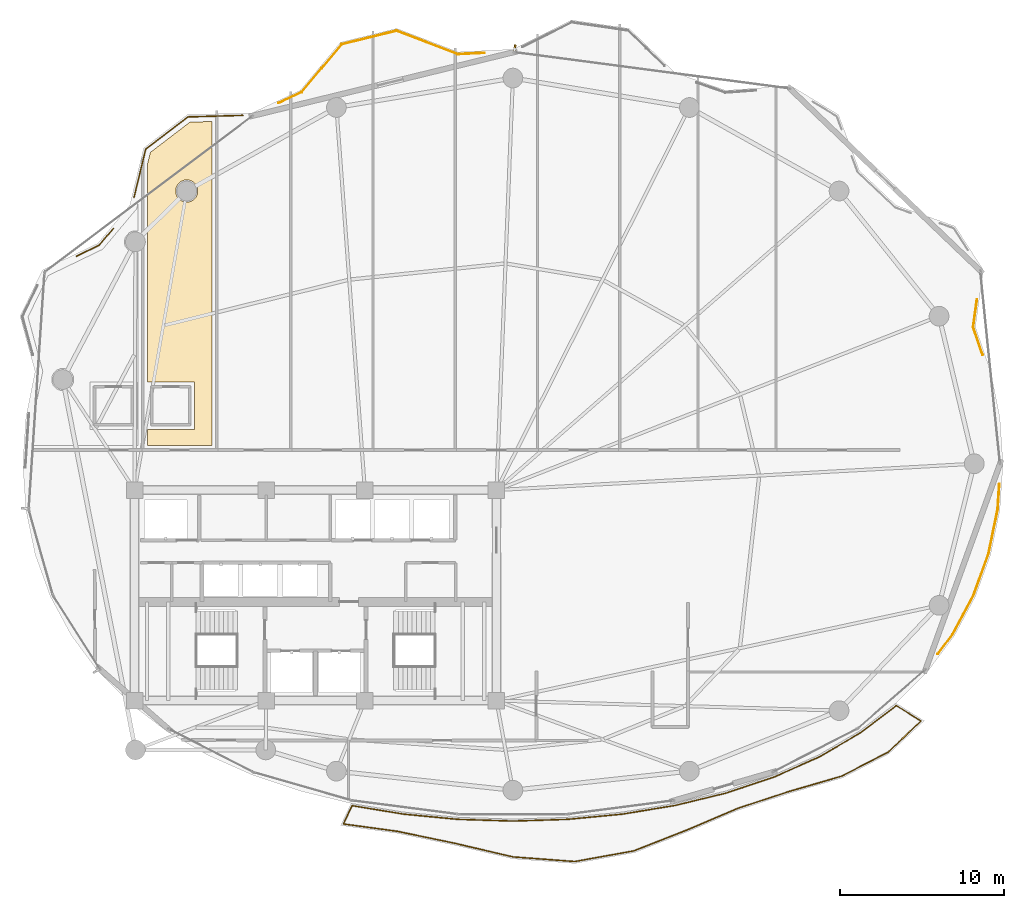
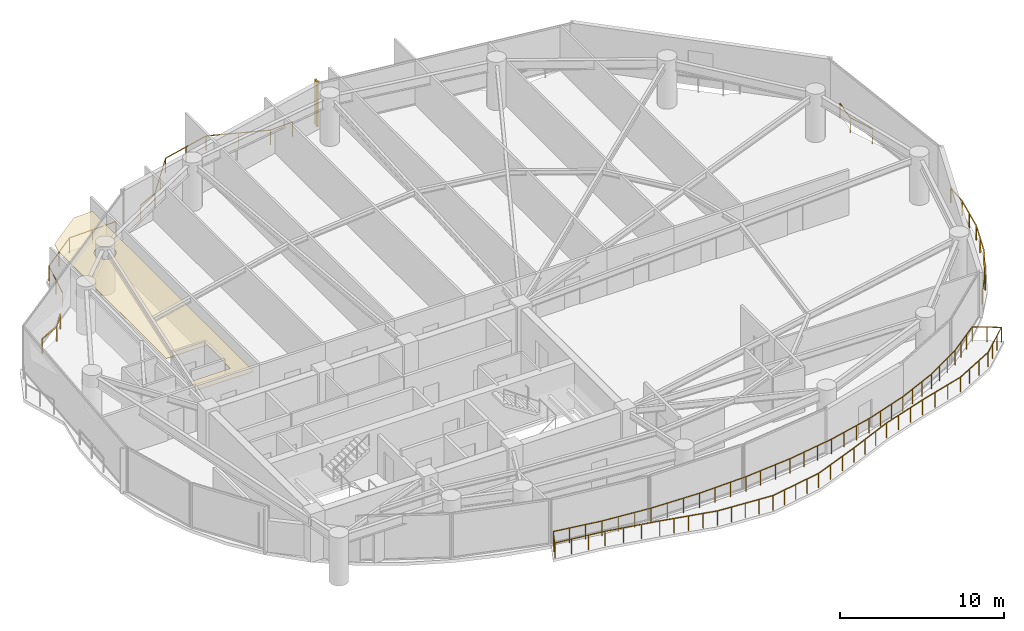
# One storey, part 29 of 30: 6 railings, 1 covering, 1 shading device.
"""IFC4 building model written with IfcOpenShell, lengths in metres."""

from ifc_helpers import new_model, si_unit, direction, frame, origin, origin_2d, place, context, subcontext, project, spatial, polyline, rectangle, outline, extrude, material, layer, layer_set, type_object, element, save


model = new_model("IFC4")

# Units and contexts
model_context = context("Model", 3, precision=1e-05, world=origin(), true_north=direction((0.0, 1.0)))
body_context = subcontext(model_context, "Body", "Model", "MODEL_VIEW")
ifc_project = project(units=[si_unit("LENGTHUNIT", "METRE"), si_unit("AREAUNIT", "SQUARE_METRE"), si_unit("VOLUMEUNIT", "CUBIC_METRE"), si_unit("PLANEANGLEUNIT", "RADIAN"), si_unit("MASSUNIT", "GRAM", prefix="KILO")], contexts=[model_context])

# Site, building, storey
site_placement = place(None, origin())
site = spatial("IfcSite", under=ifc_project, at=site_placement, CompositionType="ELEMENT")
building_placement = place(site_placement, origin())
building = spatial("IfcBuilding", under=site, at=building_placement, Name="Kazevale Care Tower and Concert Hall", CompositionType="ELEMENT")
storey_placement = place(building_placement, frame((0.0, 0.0, 127.800048828125)))
storey = spatial("IfcBuildingStorey", under=building, at=storey_placement, Name="L33", CompositionType="ELEMENT", Elevation=127.800048828125)

# Covering
ifc_material_1 = material(Name="Acoustic Plaster and Hinoki Wood", Category="wood")
ifc_layer = layer(ifc_material_1, 0.0400390625)
ifc_layer_set = layer_set([ifc_layer], Name="Acoustic Plaster and Hinoki Wood")
covering_type = type_object("IfcCoveringType", Name="Acoustic Perforated Wood-Gypsum Ceiling", PredefinedType="CEILING", material=ifc_layer_set)
covering_placement = place(storey_placement, frame((0.0, 0.0, 2.7099609375)))
element("IfcCovering", 1, at=covering_placement, inside=storey, type_object=covering_type, Name="clg:L33:2", PredefinedType="CEILING", context=body_context, shape_type="SweptSolid", body=[
    extrude(outline(polyline([(25.6298828125, 40.094970703125), (25.6298828125, 42.955078125), (22.780029296875, 42.955078125), (22.780029296875, 56.199951171875), (22.9580078125, 56.930908203125), (25.365966796875, 58.77099609375), (26.719970703125, 58.80908203125), (26.719970703125, 39.10498046875), (22.780029296875, 39.10498046875), (22.780029296875, 40.094970703125), (25.6298828125, 40.094970703125)]), holes=[polyline([(25.8369140625, 54.712890625), (25.735107421875, 54.9580078125), (25.548095703125, 55.14501953125), (25.302978515625, 55.2470703125), (25.037109375, 55.2470703125), (24.7919921875, 55.14501953125), (24.60498046875, 54.9580078125), (24.5029296875, 54.712890625), (24.5029296875, 54.447021484375), (24.60498046875, 54.201904296875), (24.7919921875, 54.014892578125), (25.037109375, 53.9130859375), (25.302978515625, 53.9130859375), (25.548095703125, 54.014892578125), (25.735107421875, 54.201904296875), (25.8369140625, 54.447021484375), (25.8369140625, 54.712890625)])]), origin(), (0.0, 0.0, 1.0), 0.0400390625),
])

# Railings
ifc_material_2 = material(Name="Anodised Bronze Aluminium and Laminated Glass", Category="aluminium")
railing_type = type_object("IfcRailingType", Name="Balcony and Terrace Balustrade 1120", PredefinedType="BALUSTRADE", material=ifc_material_2)
railing_1_placement = place(storey_placement, frame((18.4599609375, 50.62109375, 0.0)))
element("IfcRailing", 2, at=railing_1_placement, inside=storey, type_object=railing_type, Name="rail:L33:perim:3", PredefinedType="BALUSTRADE", context=body_context, shape_type="SweptSolid", body=[
    extrude(rectangle(XDim=0.048095703125, YDim=0.048095703125, at=origin_2d()), frame((0.0, 0.0, 1.09619140625), z_axis=(0.900823701656, 0.434185051026, 0.0), x_axis=(-0.434185051026, 0.900823701656, 0.0)), (0.0, 0.0, 1.0), 1.5498046875),
    extrude(rectangle(XDim=0.048095703125, YDim=0.048095703125, at=origin_2d()), frame((1.39599609375, 0.6728515625, 1.09619140625), z_axis=(0.642605296256, 0.766197385289, 0.0), x_axis=(-0.766197385289, 0.642605296256, 0.0)), (0.0, 0.0, 1.0), 1.327392578125),
    extrude(rectangle(XDim=0.0419921875, YDim=0.0419921875, at=origin_2d()), origin(), (0.0, 0.0, 1.0), 1.072021484375),
    extrude(rectangle(XDim=0.0419921875, YDim=0.0419921875, at=origin_2d()), frame((1.39599609375, 0.6728515625, 0.0)), (0.0, 0.0, 1.0), 1.072021484375),
    extrude(rectangle(XDim=0.0419921875, YDim=0.0419921875, at=origin_2d()), frame((2.2490234375, 1.68994140625, 0.0)), (0.0, 0.0, 1.0), 1.072021484375),
])
railing_2_placement = place(storey_placement, frame((21.966064453125, 54.2060546875, 0.0)))
element("IfcRailing", 3, at=railing_2_placement, inside=storey, type_object=railing_type, Name="rail:L33:perim:4", PredefinedType="BALUSTRADE", context=body_context, shape_type="SweptSolid", body=[
    extrude(rectangle(XDim=0.048095703125, YDim=0.048095703125, at=origin_2d()), frame((0.0, 0.0, 1.09619140625), z_axis=(0.236337022334, 0.971671143893, 0.0), x_axis=(-0.971671143893, 0.236337022334, 0.0)), (0.0, 0.0, 1.0), 2.995849609375),
    extrude(rectangle(XDim=0.048095703125, YDim=0.048095703125, at=origin_2d()), frame((0.7080078125, 2.910888671875, 1.09619140625), z_axis=(0.794524333095, 0.607232314785, 0.0), x_axis=(-0.607232314785, 0.794524333095, 0.0)), (0.0, 0.0, 1.0), 3.245849609375),
    extrude(rectangle(XDim=0.048095703125, YDim=0.048095703125, at=origin_2d()), frame((3.286865234375, 4.8818359375, 1.09619140625), z_axis=(0.999602588936, 0.028189788803, 0.0), x_axis=(-0.028189788803, 0.999602588936, 0.0)), (0.0, 0.0, 1.0), 3.334228515625),
    extrude(rectangle(XDim=0.0419921875, YDim=0.0419921875, at=origin_2d()), origin(), (0.0, 0.0, 1.0), 1.072021484375),
    extrude(rectangle(XDim=0.0419921875, YDim=0.0419921875, at=origin_2d()), frame((0.35400390625, 1.45556640625, 0.0)), (0.0, 0.0, 1.0), 1.072021484375),
    extrude(rectangle(XDim=0.0419921875, YDim=0.0419921875, at=origin_2d()), frame((0.7080078125, 2.910888671875, 0.0)), (0.0, 0.0, 1.0), 1.072021484375),
    extrude(rectangle(XDim=0.0419921875, YDim=0.0419921875, at=origin_2d()), frame((1.99755859375, 3.896484375, 0.0)), (0.0, 0.0, 1.0), 1.072021484375),
    extrude(rectangle(XDim=0.0419921875, YDim=0.0419921875, at=origin_2d()), frame((3.286865234375, 4.8818359375, 0.0)), (0.0, 0.0, 1.0), 1.072021484375),
    extrude(rectangle(XDim=0.0419921875, YDim=0.0419921875, at=origin_2d()), frame((4.953369140625, 4.9287109375, 0.0)), (0.0, 0.0, 1.0), 1.072021484375),
    extrude(rectangle(XDim=0.0419921875, YDim=0.0419921875, at=origin_2d()), frame((6.619873046875, 4.975830078125, 0.0)), (0.0, 0.0, 1.0), 1.072021484375),
])
railing_3_placement = place(storey_placement, frame((30.740966796875, 59.927978515625, 0.0)))
element("IfcRailing", 4, at=railing_3_placement, inside=storey, type_object=railing_type, Name="rail:L33:perim:5", PredefinedType="BALUSTRADE", context=body_context, shape_type="SweptSolid", body=[
    extrude(rectangle(XDim=0.048095703125, YDim=0.048095703125, at=origin_2d()), frame((0.0, 0.0, 1.09619140625), z_axis=(0.905736116012, 0.423842055667, 0.0), x_axis=(-0.423842055667, 0.905736116012, 0.0)), (0.0, 0.0, 1.0), 1.564453125),
    extrude(rectangle(XDim=0.048095703125, YDim=0.048095703125, at=origin_2d()), frame((1.4169921875, 0.6630859375, 1.09619140625), z_axis=(0.641607523243, 0.767033106272, 0.0), x_axis=(-0.767033106272, 0.641607523243, 0.0)), (0.0, 0.0, 1.0), 3.793701171875),
    extrude(rectangle(XDim=0.048095703125, YDim=0.048095703125, at=origin_2d()), frame((3.85107421875, 3.572998046875, 1.09619140625), z_axis=(0.970923670016, 0.239389279214, 0.0), x_axis=(-0.239389279214, 0.970923670016, 0.0)), (0.0, 0.0, 1.0), 3.433837890625),
    extrude(rectangle(XDim=0.048095703125, YDim=0.048095703125, at=origin_2d()), frame((7.18505859375, 4.39501953125, 1.09619140625), z_axis=(0.933831892262, -0.357712170598, 0.0), x_axis=(0.357712170598, 0.933831892262, 0.0)), (0.0, 0.0, 1.0), 3.978271484375),
    extrude(rectangle(XDim=0.048095703125, YDim=0.048095703125, at=origin_2d()), frame((10.900146484375, 2.971923828125, 1.09619140625), z_axis=(0.998862326121, 0.04768703657, 0.0), x_axis=(-0.04768703657, 0.998862326121, 0.0)), (0.0, 0.0, 1.0), 1.617919921875),
    extrude(rectangle(XDim=0.0419921875, YDim=0.0419921875, at=origin_2d()), origin(), (0.0, 0.0, 1.0), 1.072021484375),
    extrude(rectangle(XDim=0.0419921875, YDim=0.0419921875, at=origin_2d()), frame((1.4169921875, 0.6630859375, 0.0)), (0.0, 0.0, 1.0), 1.072021484375),
    extrude(rectangle(XDim=0.0419921875, YDim=0.0419921875, at=origin_2d()), frame((2.634033203125, 2.1181640625, 0.0)), (0.0, 0.0, 1.0), 1.072021484375),
    extrude(rectangle(XDim=0.0419921875, YDim=0.0419921875, at=origin_2d()), frame((3.85107421875, 3.572998046875, 0.0)), (0.0, 0.0, 1.0), 1.072021484375),
    extrude(rectangle(XDim=0.0419921875, YDim=0.0419921875, at=origin_2d()), frame((5.51806640625, 3.98388671875, 0.0)), (0.0, 0.0, 1.0), 1.072021484375),
    extrude(rectangle(XDim=0.0419921875, YDim=0.0419921875, at=origin_2d()), frame((7.18505859375, 4.39501953125, 0.0)), (0.0, 0.0, 1.0), 1.072021484375),
    extrude(rectangle(XDim=0.0419921875, YDim=0.0419921875, at=origin_2d()), frame((9.04248046875, 3.68359375, 0.0)), (0.0, 0.0, 1.0), 1.072021484375),
    extrude(rectangle(XDim=0.0419921875, YDim=0.0419921875, at=origin_2d()), frame((10.900146484375, 2.971923828125, 0.0)), (0.0, 0.0, 1.0), 1.072021484375),
    extrude(rectangle(XDim=0.0419921875, YDim=0.0419921875, at=origin_2d()), frame((12.51611328125, 3.049072265625, 0.0)), (0.0, 0.0, 1.0), 1.072021484375),
])
railing_4_placement = place(storey_placement, frame((74.576904296875, 36.76611328125, 0.0)))
element("IfcRailing", 5, at=railing_4_placement, inside=storey, type_object=railing_type, Name="rail:L33:perim:10", PredefinedType="BALUSTRADE", context=body_context, shape_type="SweptSolid", body=[
    extrude(rectangle(XDim=0.048095703125, YDim=0.048095703125, at=origin_2d()), frame((0.0, 0.0, 1.09619140625), z_axis=(-0.066164353261, -0.997808738365, 0.0), x_axis=(0.997808738365, -0.066164353261, 0.0)), (0.0, 0.0, 1.0), 1.553466796875),
    extrude(rectangle(XDim=0.048095703125, YDim=0.048095703125, at=origin_2d()), frame((-0.102783203125, -1.550048828125, 1.09619140625), z_axis=(-0.202611486218, -0.979259202485, 0.0), x_axis=(0.979259202485, -0.202611486218, 0.0)), (0.0, 0.0, 1.0), 2.744873046875),
    extrude(rectangle(XDim=0.048095703125, YDim=0.048095703125, at=origin_2d()), frame((-0.658935546875, -4.238037109375, 1.09619140625), z_axis=(-0.339653342944, -0.940550693279, 0.0), x_axis=(0.940550693279, -0.339653342944, 0.0)), (0.0, 0.0, 1.0), 2.70263671875),
    extrude(rectangle(XDim=0.048095703125, YDim=0.048095703125, at=origin_2d()), frame((-1.576904296875, -6.780029296875, 1.09619140625), z_axis=(-0.473735648305, -0.880667096879, 0.0), x_axis=(0.880667096879, -0.473735648305, 0.0)), (0.0, 0.0, 1.0), 2.6787109375),
    extrude(rectangle(XDim=0.048095703125, YDim=0.048095703125, at=origin_2d()), frame((-2.845947265625, -9.13916015625, 1.09619140625), z_axis=(-0.597990687273, -0.801503049236, 0.0), x_axis=(0.801503049236, -0.597990687273, 0.0)), (0.0, 0.0, 1.0), 1.498291015625),
    extrude(rectangle(XDim=0.0419921875, YDim=0.0419921875, at=origin_2d()), origin(), (0.0, 0.0, 1.0), 1.072021484375),
    extrude(rectangle(XDim=0.0419921875, YDim=0.0419921875, at=origin_2d()), frame((-0.102783203125, -1.550048828125, 0.0)), (0.0, 0.0, 1.0), 1.072021484375),
    extrude(rectangle(XDim=0.0419921875, YDim=0.0419921875, at=origin_2d()), frame((-0.380859375, -2.89404296875, 0.0)), (0.0, 0.0, 1.0), 1.072021484375),
    extrude(rectangle(XDim=0.0419921875, YDim=0.0419921875, at=origin_2d()), frame((-0.658935546875, -4.238037109375, 0.0)), (0.0, 0.0, 1.0), 1.072021484375),
    extrude(rectangle(XDim=0.0419921875, YDim=0.0419921875, at=origin_2d()), frame((-1.117919921875, -5.509033203125, 0.0)), (0.0, 0.0, 1.0), 1.072021484375),
    extrude(rectangle(XDim=0.0419921875, YDim=0.0419921875, at=origin_2d()), frame((-1.576904296875, -6.780029296875, 0.0)), (0.0, 0.0, 1.0), 1.072021484375),
    extrude(rectangle(XDim=0.0419921875, YDim=0.0419921875, at=origin_2d()), frame((-2.21142578125, -7.95947265625, 0.0)), (0.0, 0.0, 1.0), 1.072021484375),
    extrude(rectangle(XDim=0.0419921875, YDim=0.0419921875, at=origin_2d()), frame((-2.845947265625, -9.13916015625, 0.0)), (0.0, 0.0, 1.0), 1.072021484375),
    extrude(rectangle(XDim=0.0419921875, YDim=0.0419921875, at=origin_2d()), frame((-3.741943359375, -10.340087890625, 0.0)), (0.0, 0.0, 1.0), 1.072021484375),
])
railing_5_placement = place(storey_placement, frame((73.216064453125, 47.98193359375, 0.0)))
element("IfcRailing", 6, at=railing_5_placement, inside=storey, type_object=railing_type, Name="rail:L33:perim:12", PredefinedType="BALUSTRADE", context=body_context, shape_type="SweptSolid", body=[
    extrude(rectangle(XDim=0.048095703125, YDim=0.048095703125, at=origin_2d()), frame((0.0, 0.0, 1.09619140625), z_axis=(-0.137473823068, -0.990505400274, 0.0), x_axis=(0.990505400274, -0.137473823068, 0.0)), (0.0, 0.0, 1.0), 1.68896484375),
    extrude(rectangle(XDim=0.048095703125, YDim=0.048095703125, at=origin_2d()), frame((-0.232177734375, -1.6728515625, 1.09619140625), z_axis=(0.322868909969, -0.946443694562, 0.0), x_axis=(0.946443694562, 0.322868909969, 0.0)), (0.0, 0.0, 1.0), 1.784423828125),
    extrude(rectangle(XDim=0.0419921875, YDim=0.0419921875, at=origin_2d()), origin(), (0.0, 0.0, 1.0), 1.072021484375),
    extrude(rectangle(XDim=0.0419921875, YDim=0.0419921875, at=origin_2d()), frame((-0.232177734375, -1.6728515625, 0.0)), (0.0, 0.0, 1.0), 1.072021484375),
    extrude(rectangle(XDim=0.0419921875, YDim=0.0419921875, at=origin_2d()), frame((0.343994140625, -3.36181640625, 0.0)), (0.0, 0.0, 1.0), 1.072021484375),
])
railing_6_placement = place(storey_placement, frame((35.22509765625, 17.2099609375, 0.0)))
element("IfcRailing", 7, at=railing_6_placement, inside=storey, type_object=railing_type, Name="rail:L33:balcony", PredefinedType="BALUSTRADE", context=body_context, shape_type="SweptSolid", body=[
    extrude(rectangle(XDim=0.048095703125, YDim=0.048095703125, at=origin_2d()), frame((0.0, 0.0, 1.09619140625), z_axis=(0.986720826515, -0.162425399869, 0.0), x_axis=(0.162425399869, 0.986720826515, 0.0)), (0.0, 0.0, 1.0), 3.169921875),
    extrude(rectangle(XDim=0.048095703125, YDim=0.048095703125, at=origin_2d()), frame((3.1279296875, -0.514892578125, 1.09619140625), z_axis=(0.995477928413, -0.09499312629, 0.0), x_axis=(0.09499312629, 0.995477928413, 0.0)), (0.0, 0.0, 1.0), 3.31787109375),
    extrude(rectangle(XDim=0.048095703125, YDim=0.048095703125, at=origin_2d()), frame((6.430908203125, -0.830078125, 1.09619140625), z_axis=(0.999507580629, -0.031378276971, 0.0), x_axis=(0.031378276971, 0.999507580629, 0.0)), (0.0, 0.0, 1.0), 3.345703125),
    extrude(rectangle(XDim=0.048095703125, YDim=0.048095703125, at=origin_2d()), frame((9.77490234375, -0.93505859375, 1.09619140625), z_axis=(0.999507580629, 0.031378276971, 0.0), x_axis=(-0.031378276971, 0.999507580629, 0.0)), (0.0, 0.0, 1.0), 3.345703125),
    extrude(rectangle(XDim=0.048095703125, YDim=0.048095703125, at=origin_2d()), frame((13.118896484375, -0.830078125, 1.09619140625), z_axis=(0.995477928413, 0.09499312629, 0.0), x_axis=(-0.09499312629, 0.995477928413, 0.0)), (0.0, 0.0, 1.0), 3.31787109375),
    extrude(rectangle(XDim=0.048095703125, YDim=0.048095703125, at=origin_2d()), frame((16.421875, -0.514892578125, 1.09619140625), z_axis=(0.986673526711, 0.162712481659, 0.0), x_axis=(-0.162712481659, 0.986673526711, 0.0)), (0.0, 0.0, 1.0), 3.263427734375),
    extrude(rectangle(XDim=0.048095703125, YDim=0.048095703125, at=origin_2d()), frame((19.641845703125, 0.01611328125, 1.09619140625), z_axis=(0.971769261323, 0.235933259095, 0.0), x_axis=(-0.235933259095, 0.971769261323, 0.0)), (0.0, 0.0, 1.0), 3.187255859375),
    extrude(rectangle(XDim=0.048095703125, YDim=0.048095703125, at=origin_2d()), frame((22.739013671875, 0.76806640625, 1.09619140625), z_axis=(0.948264523365, 0.317481328155, 0.0), x_axis=(-0.317481328155, 0.948264523365, 0.0)), (0.0, 0.0, 1.0), 3.095947265625),
    extrude(rectangle(XDim=0.048095703125, YDim=0.048095703125, at=origin_2d()), frame((25.6748046875, 1.7509765625, 1.09619140625), z_axis=(0.913377633239, 0.407113373766, 0.0), x_axis=(-0.407113373766, 0.913377633239, 0.0)), (0.0, 0.0, 1.0), 2.99658203125),
    extrude(rectangle(XDim=0.048095703125, YDim=0.048095703125, at=origin_2d()), frame((28.411865234375, 2.970947265625, 1.09619140625), z_axis=(0.863507127078, 0.504336635082, 0.0), x_axis=(-0.504336635082, 0.863507127078, 0.0)), (0.0, 0.0, 1.0), 2.901123046875),
    extrude(rectangle(XDim=0.048095703125, YDim=0.048095703125, at=origin_2d()), frame((30.9169921875, 4.43408203125, 1.09619140625), z_axis=(0.795030778338, 0.606569090455, 0.0), x_axis=(-0.606569090455, 0.795030778338, 0.0)), (0.0, 0.0, 1.0), 2.726806640625),
    extrude(rectangle(XDim=0.048095703125, YDim=0.048095703125, at=origin_2d()), frame((33.0849609375, 6.088134765625, 1.09619140625), z_axis=(0.848160049179, -0.529740059819, 0.0), x_axis=(0.529740059819, 0.848160049179, 0.0)), (0.0, 0.0, 1.0), 1.7802734375),
    extrude(rectangle(XDim=0.048095703125, YDim=0.048095703125, at=origin_2d()), frame((34.594970703125, 5.14501953125, 1.09619140625), z_axis=(-0.729993328621, -0.683454270723, 0.0), x_axis=(0.683454270723, -0.729993328621, 0.0)), (0.0, 0.0, 1.0), 2.769775390625),
    extrude(rectangle(XDim=0.048095703125, YDim=0.048095703125, at=origin_2d()), frame((32.572998046875, 3.251953125, 1.09619140625), z_axis=(-0.887558780526, -0.460694487825, 0.0), x_axis=(0.460694487825, -0.887558780526, 0.0)), (0.0, 0.0, 1.0), 3.153564453125),
    extrude(rectangle(XDim=0.048095703125, YDim=0.048095703125, at=origin_2d()), frame((29.77392578125, 1.799072265625, 1.09619140625), z_axis=(-0.959981341423, -0.280063964337, 0.0), x_axis=(0.280063964337, -0.959981341423, 0.0)), (0.0, 0.0, 1.0), 3.37109375),
    extrude(rectangle(XDim=0.048095703125, YDim=0.048095703125, at=origin_2d()), frame((26.537841796875, 0.85498046875, 1.09619140625), z_axis=(-0.949992943031, -0.31227136947, 0.0), x_axis=(0.31227136947, -0.949992943031, 0.0)), (0.0, 0.0, 1.0), 3.279052734375),
    extrude(rectangle(XDim=0.048095703125, YDim=0.048095703125, at=origin_2d()), frame((23.4228515625, -0.1689453125, 1.09619140625), z_axis=(-0.919622813198, -0.392802598572, 0.0), x_axis=(0.392802598572, -0.919622813198, 0.0)), (0.0, 0.0, 1.0), 3.299072265625),
    extrude(rectangle(XDim=0.048095703125, YDim=0.048095703125, at=origin_2d()), frame((20.388916015625, -1.46484375, 1.09619140625), z_axis=(-0.930486528977, -0.366326110716, 0.0), x_axis=(0.366326110716, -0.930486528977, 0.0)), (0.0, 0.0, 1.0), 3.486328125),
    extrude(rectangle(XDim=0.048095703125, YDim=0.048095703125, at=origin_2d()), frame((17.14501953125, -2.741943359375, 1.09619140625), z_axis=(-0.98397532177, -0.178304700294, 0.0), x_axis=(0.178304700294, -0.98397532177, 0.0)), (0.0, 0.0, 1.0), 3.66259765625),
    extrude(rectangle(XDim=0.048095703125, YDim=0.048095703125, at=origin_2d()), frame((13.541015625, -3.39501953125, 1.09619140625), z_axis=(-0.997259062658, 0.073988931238, 0.0), x_axis=(-0.073988931238, -0.997259062658, 0.0)), (0.0, 0.0, 1.0), 3.75830078125),
    extrude(rectangle(XDim=0.048095703125, YDim=0.048095703125, at=origin_2d()), frame((9.79296875, -3.116943359375, 1.09619140625), z_axis=(-0.973710675787, 0.227788322482, 0.0), x_axis=(-0.227788322482, -0.973710675787, 0.0)), (0.0, 0.0, 1.0), 3.68798828125),
    extrude(rectangle(XDim=0.048095703125, YDim=0.048095703125, at=origin_2d()), frame((6.201904296875, -2.27685546875, 1.09619140625), z_axis=(-0.979039325831, 0.203671300081, 0.0), x_axis=(-0.203671300081, -0.979039325831, 0.0)), (0.0, 0.0, 1.0), 3.5146484375),
    extrude(rectangle(XDim=0.048095703125, YDim=0.048095703125, at=origin_2d()), frame((2.760986328125, -1.56103515625, 1.09619140625), z_axis=(-0.990727885138, 0.135861170357, 0.0), x_axis=(-0.135861170357, -0.990727885138, 0.0)), (0.0, 0.0, 1.0), 3.32080078125),
    extrude(rectangle(XDim=0.048095703125, YDim=0.048095703125, at=origin_2d()), frame((-0.529052734375, -1.10986328125, 1.09619140625), z_axis=(0.430295812217, 0.90268793832, 0.0), x_axis=(-0.90268793832, 0.430295812217, 0.0)), (0.0, 0.0, 1.0), 1.2294921875),
    extrude(rectangle(XDim=0.0419921875, YDim=0.0419921875, at=origin_2d()), origin(), (0.0, 0.0, 1.0), 1.072021484375),
    extrude(rectangle(XDim=0.0419921875, YDim=0.0419921875, at=origin_2d()), frame((1.042724609375, -0.171630859375, 0.0)), (0.0, 0.0, 1.0), 1.072021484375),
    extrude(rectangle(XDim=0.0419921875, YDim=0.0419921875, at=origin_2d()), frame((2.085205078125, -0.34326171875, 0.0)), (0.0, 0.0, 1.0), 1.072021484375),
    extrude(rectangle(XDim=0.0419921875, YDim=0.0419921875, at=origin_2d()), frame((3.1279296875, -0.514892578125, 0.0)), (0.0, 0.0, 1.0), 1.072021484375),
    extrude(rectangle(XDim=0.0419921875, YDim=0.0419921875, at=origin_2d()), frame((4.22900390625, -0.619873046875, 0.0)), (0.0, 0.0, 1.0), 1.072021484375),
    extrude(rectangle(XDim=0.0419921875, YDim=0.0419921875, at=origin_2d()), frame((5.329833984375, -0.72509765625, 0.0)), (0.0, 0.0, 1.0), 1.072021484375),
    extrude(rectangle(XDim=0.0419921875, YDim=0.0419921875, at=origin_2d()), frame((6.430908203125, -0.830078125, 0.0)), (0.0, 0.0, 1.0), 1.072021484375),
    extrude(rectangle(XDim=0.0419921875, YDim=0.0419921875, at=origin_2d()), frame((7.545654296875, -0.864990234375, 0.0)), (0.0, 0.0, 1.0), 1.072021484375),
    extrude(rectangle(XDim=0.0419921875, YDim=0.0419921875, at=origin_2d()), frame((8.66015625, -0.900146484375, 0.0)), (0.0, 0.0, 1.0), 1.072021484375),
    extrude(rectangle(XDim=0.0419921875, YDim=0.0419921875, at=origin_2d()), frame((9.77490234375, -0.93505859375, 0.0)), (0.0, 0.0, 1.0), 1.072021484375),
    extrude(rectangle(XDim=0.0419921875, YDim=0.0419921875, at=origin_2d()), frame((10.8896484375, -0.900146484375, 0.0)), (0.0, 0.0, 1.0), 1.072021484375),
    extrude(rectangle(XDim=0.0419921875, YDim=0.0419921875, at=origin_2d()), frame((12.004150390625, -0.864990234375, 0.0)), (0.0, 0.0, 1.0), 1.072021484375),
    extrude(rectangle(XDim=0.0419921875, YDim=0.0419921875, at=origin_2d()), frame((13.118896484375, -0.830078125, 0.0)), (0.0, 0.0, 1.0), 1.072021484375),
    extrude(rectangle(XDim=0.0419921875, YDim=0.0419921875, at=origin_2d()), frame((14.219970703125, -0.72509765625, 0.0)), (0.0, 0.0, 1.0), 1.072021484375),
    extrude(rectangle(XDim=0.0419921875, YDim=0.0419921875, at=origin_2d()), frame((15.32080078125, -0.619873046875, 0.0)), (0.0, 0.0, 1.0), 1.072021484375),
    extrude(rectangle(XDim=0.0419921875, YDim=0.0419921875, at=origin_2d()), frame((16.421875, -0.514892578125, 0.0)), (0.0, 0.0, 1.0), 1.072021484375),
    extrude(rectangle(XDim=0.0419921875, YDim=0.0419921875, at=origin_2d()), frame((17.4951171875, -0.337890625, 0.0)), (0.0, 0.0, 1.0), 1.072021484375),
    extrude(rectangle(XDim=0.0419921875, YDim=0.0419921875, at=origin_2d()), frame((18.568603515625, -0.160888671875, 0.0)), (0.0, 0.0, 1.0), 1.072021484375),
    extrude(rectangle(XDim=0.0419921875, YDim=0.0419921875, at=origin_2d()), frame((19.641845703125, 0.01611328125, 0.0)), (0.0, 0.0, 1.0), 1.072021484375),
    extrude(rectangle(XDim=0.0419921875, YDim=0.0419921875, at=origin_2d()), frame((20.67431640625, 0.266845703125, 0.0)), (0.0, 0.0, 1.0), 1.072021484375),
    extrude(rectangle(XDim=0.0419921875, YDim=0.0419921875, at=origin_2d()), frame((21.70654296875, 0.517333984375, 0.0)), (0.0, 0.0, 1.0), 1.072021484375),
    extrude(rectangle(XDim=0.0419921875, YDim=0.0419921875, at=origin_2d()), frame((22.739013671875, 0.76806640625, 0.0)), (0.0, 0.0, 1.0), 1.072021484375),
    extrude(rectangle(XDim=0.0419921875, YDim=0.0419921875, at=origin_2d()), frame((23.717529296875, 1.095703125, 0.0)), (0.0, 0.0, 1.0), 1.072021484375),
    extrude(rectangle(XDim=0.0419921875, YDim=0.0419921875, at=origin_2d()), frame((24.6962890625, 1.42333984375, 0.0)), (0.0, 0.0, 1.0), 1.072021484375),
    extrude(rectangle(XDim=0.0419921875, YDim=0.0419921875, at=origin_2d()), frame((25.6748046875, 1.7509765625, 0.0)), (0.0, 0.0, 1.0), 1.072021484375),
    extrude(rectangle(XDim=0.0419921875, YDim=0.0419921875, at=origin_2d()), frame((26.587158203125, 2.15771484375, 0.0)), (0.0, 0.0, 1.0), 1.072021484375),
    extrude(rectangle(XDim=0.0419921875, YDim=0.0419921875, at=origin_2d()), frame((27.49951171875, 2.564208984375, 0.0)), (0.0, 0.0, 1.0), 1.072021484375),
    extrude(rectangle(XDim=0.0419921875, YDim=0.0419921875, at=origin_2d()), frame((28.411865234375, 2.970947265625, 0.0)), (0.0, 0.0, 1.0), 1.072021484375),
    extrude(rectangle(XDim=0.0419921875, YDim=0.0419921875, at=origin_2d()), frame((29.246826171875, 3.458740234375, 0.0)), (0.0, 0.0, 1.0), 1.072021484375),
    extrude(rectangle(XDim=0.0419921875, YDim=0.0419921875, at=origin_2d()), frame((30.08203125, 3.9462890625, 0.0)), (0.0, 0.0, 1.0), 1.072021484375),
    extrude(rectangle(XDim=0.0419921875, YDim=0.0419921875, at=origin_2d()), frame((30.9169921875, 4.43408203125, 0.0)), (0.0, 0.0, 1.0), 1.072021484375),
    extrude(rectangle(XDim=0.0419921875, YDim=0.0419921875, at=origin_2d()), frame((31.6396484375, 4.9853515625, 0.0)), (0.0, 0.0, 1.0), 1.072021484375),
    extrude(rectangle(XDim=0.0419921875, YDim=0.0419921875, at=origin_2d()), frame((32.3623046875, 5.536865234375, 0.0)), (0.0, 0.0, 1.0), 1.072021484375),
    extrude(rectangle(XDim=0.0419921875, YDim=0.0419921875, at=origin_2d()), frame((33.0849609375, 6.088134765625, 0.0)), (0.0, 0.0, 1.0), 1.072021484375),
    extrude(rectangle(XDim=0.0419921875, YDim=0.0419921875, at=origin_2d()), frame((33.83984375, 5.61669921875, 0.0)), (0.0, 0.0, 1.0), 1.072021484375),
    extrude(rectangle(XDim=0.0419921875, YDim=0.0419921875, at=origin_2d()), frame((34.594970703125, 5.14501953125, 0.0)), (0.0, 0.0, 1.0), 1.072021484375),
    extrude(rectangle(XDim=0.0419921875, YDim=0.0419921875, at=origin_2d()), frame((33.9208984375, 4.513916015625, 0.0)), (0.0, 0.0, 1.0), 1.072021484375),
    extrude(rectangle(XDim=0.0419921875, YDim=0.0419921875, at=origin_2d()), frame((33.2470703125, 3.883056640625, 0.0)), (0.0, 0.0, 1.0), 1.072021484375),
    extrude(rectangle(XDim=0.0419921875, YDim=0.0419921875, at=origin_2d()), frame((32.572998046875, 3.251953125, 0.0)), (0.0, 0.0, 1.0), 1.072021484375),
    extrude(rectangle(XDim=0.0419921875, YDim=0.0419921875, at=origin_2d()), frame((31.639892578125, 2.767578125, 0.0)), (0.0, 0.0, 1.0), 1.072021484375),
    extrude(rectangle(XDim=0.0419921875, YDim=0.0419921875, at=origin_2d()), frame((30.70703125, 2.283447265625, 0.0)), (0.0, 0.0, 1.0), 1.072021484375),
    extrude(rectangle(XDim=0.0419921875, YDim=0.0419921875, at=origin_2d()), frame((29.77392578125, 1.799072265625, 0.0)), (0.0, 0.0, 1.0), 1.072021484375),
    extrude(rectangle(XDim=0.0419921875, YDim=0.0419921875, at=origin_2d()), frame((28.6953125, 1.484375, 0.0)), (0.0, 0.0, 1.0), 1.072021484375),
    extrude(rectangle(XDim=0.0419921875, YDim=0.0419921875, at=origin_2d()), frame((27.616455078125, 1.169677734375, 0.0)), (0.0, 0.0, 1.0), 1.072021484375),
    extrude(rectangle(XDim=0.0419921875, YDim=0.0419921875, at=origin_2d()), frame((26.537841796875, 0.85498046875, 0.0)), (0.0, 0.0, 1.0), 1.072021484375),
    extrude(rectangle(XDim=0.0419921875, YDim=0.0419921875, at=origin_2d()), frame((25.49951171875, 0.513671875, 0.0)), (0.0, 0.0, 1.0), 1.072021484375),
    extrude(rectangle(XDim=0.0419921875, YDim=0.0419921875, at=origin_2d()), frame((24.461181640625, 0.17236328125, 0.0)), (0.0, 0.0, 1.0), 1.072021484375),
    extrude(rectangle(XDim=0.0419921875, YDim=0.0419921875, at=origin_2d()), frame((23.4228515625, -0.1689453125, 0.0)), (0.0, 0.0, 1.0), 1.072021484375),
    extrude(rectangle(XDim=0.0419921875, YDim=0.0419921875, at=origin_2d()), frame((22.41162109375, -0.600830078125, 0.0)), (0.0, 0.0, 1.0), 1.072021484375),
    extrude(rectangle(XDim=0.0419921875, YDim=0.0419921875, at=origin_2d()), frame((21.400146484375, -1.032958984375, 0.0)), (0.0, 0.0, 1.0), 1.072021484375),
    extrude(rectangle(XDim=0.0419921875, YDim=0.0419921875, at=origin_2d()), frame((20.388916015625, -1.46484375, 0.0)), (0.0, 0.0, 1.0), 1.072021484375),
    extrude(rectangle(XDim=0.0419921875, YDim=0.0419921875, at=origin_2d()), frame((19.3076171875, -1.890625, 0.0)), (0.0, 0.0, 1.0), 1.072021484375),
    extrude(rectangle(XDim=0.0419921875, YDim=0.0419921875, at=origin_2d()), frame((18.226318359375, -2.316162109375, 0.0)), (0.0, 0.0, 1.0), 1.072021484375),
    extrude(rectangle(XDim=0.0419921875, YDim=0.0419921875, at=origin_2d()), frame((17.14501953125, -2.741943359375, 0.0)), (0.0, 0.0, 1.0), 1.072021484375),
    extrude(rectangle(XDim=0.0419921875, YDim=0.0419921875, at=origin_2d()), frame((16.244140625, -2.9052734375, 0.0)), (0.0, 0.0, 1.0), 1.072021484375),
    extrude(rectangle(XDim=0.0419921875, YDim=0.0419921875, at=origin_2d()), frame((15.343017578125, -3.068359375, 0.0)), (0.0, 0.0, 1.0), 1.072021484375),
    extrude(rectangle(XDim=0.0419921875, YDim=0.0419921875, at=origin_2d()), frame((14.44189453125, -3.231689453125, 0.0)), (0.0, 0.0, 1.0), 1.072021484375),
    extrude(rectangle(XDim=0.0419921875, YDim=0.0419921875, at=origin_2d()), frame((13.541015625, -3.39501953125, 0.0)), (0.0, 0.0, 1.0), 1.072021484375),
    extrude(rectangle(XDim=0.0419921875, YDim=0.0419921875, at=origin_2d()), frame((12.60400390625, -3.325439453125, 0.0)), (0.0, 0.0, 1.0), 1.072021484375),
    extrude(rectangle(XDim=0.0419921875, YDim=0.0419921875, at=origin_2d()), frame((11.6669921875, -3.255859375, 0.0)), (0.0, 0.0, 1.0), 1.072021484375),
    extrude(rectangle(XDim=0.0419921875, YDim=0.0419921875, at=origin_2d()), frame((10.72998046875, -3.1865234375, 0.0)), (0.0, 0.0, 1.0), 1.072021484375),
    extrude(rectangle(XDim=0.0419921875, YDim=0.0419921875, at=origin_2d()), frame((9.79296875, -3.116943359375, 0.0)), (0.0, 0.0, 1.0), 1.072021484375),
    extrude(rectangle(XDim=0.0419921875, YDim=0.0419921875, at=origin_2d()), frame((8.895263671875, -2.906982421875, 0.0)), (0.0, 0.0, 1.0), 1.072021484375),
    extrude(rectangle(XDim=0.0419921875, YDim=0.0419921875, at=origin_2d()), frame((7.99755859375, -2.69677734375, 0.0)), (0.0, 0.0, 1.0), 1.072021484375),
    extrude(rectangle(XDim=0.0419921875, YDim=0.0419921875, at=origin_2d()), frame((7.099609375, -2.48681640625, 0.0)), (0.0, 0.0, 1.0), 1.072021484375),
    extrude(rectangle(XDim=0.0419921875, YDim=0.0419921875, at=origin_2d()), frame((6.201904296875, -2.27685546875, 0.0)), (0.0, 0.0, 1.0), 1.072021484375),
    extrude(rectangle(XDim=0.0419921875, YDim=0.0419921875, at=origin_2d()), frame((5.054931640625, -2.038330078125, 0.0)), (0.0, 0.0, 1.0), 1.072021484375),
    extrude(rectangle(XDim=0.0419921875, YDim=0.0419921875, at=origin_2d()), frame((3.907958984375, -1.799560546875, 0.0)), (0.0, 0.0, 1.0), 1.072021484375),
    extrude(rectangle(XDim=0.0419921875, YDim=0.0419921875, at=origin_2d()), frame((2.760986328125, -1.56103515625, 0.0)), (0.0, 0.0, 1.0), 1.072021484375),
    extrude(rectangle(XDim=0.0419921875, YDim=0.0419921875, at=origin_2d()), frame((1.664306640625, -1.41064453125, 0.0)), (0.0, 0.0, 1.0), 1.072021484375),
    extrude(rectangle(XDim=0.0419921875, YDim=0.0419921875, at=origin_2d()), frame((0.567626953125, -1.26025390625, 0.0)), (0.0, 0.0, 1.0), 1.072021484375),
    extrude(rectangle(XDim=0.0419921875, YDim=0.0419921875, at=origin_2d()), frame((-0.529052734375, -1.10986328125, 0.0)), (0.0, 0.0, 1.0), 1.072021484375),
    extrude(rectangle(XDim=0.0419921875, YDim=0.0419921875, at=origin_2d()), frame((-0.2646484375, -0.554931640625, 0.0)), (0.0, 0.0, 1.0), 1.072021484375),
])

# Shading device
ifc_material_3 = material(Name="Honed Ochre Limestone", Category="masonry")
shading_device_type = type_object("IfcShadingDeviceType", Name="Vertical Honed Limestone Fin FIN-01", PredefinedType="USERDEFINED", material=ifc_material_3)
shading_device_placement = place(storey_placement, frame((45.118408203125, 63.27587890625, 0.0), z_axis=(0.0, 0.0, 1.0), x_axis=(0.130872263805, 0.991399238736, 0.0)))
element("IfcShadingDevice", 8, at=shading_device_placement, inside=storey, type_object=shading_device_type, Name="cw:L33:f16:fin", ObjectType="FIN", PredefinedType="USERDEFINED", context=body_context, shape_type="SweptSolid", body=[
    extrude(rectangle(XDim=0.3798828125, YDim=0.1201171875, at=origin_2d()), origin(), (0.0, 0.0, 1.0), 3.360107421875),
])

save(model, "model.ifc")
